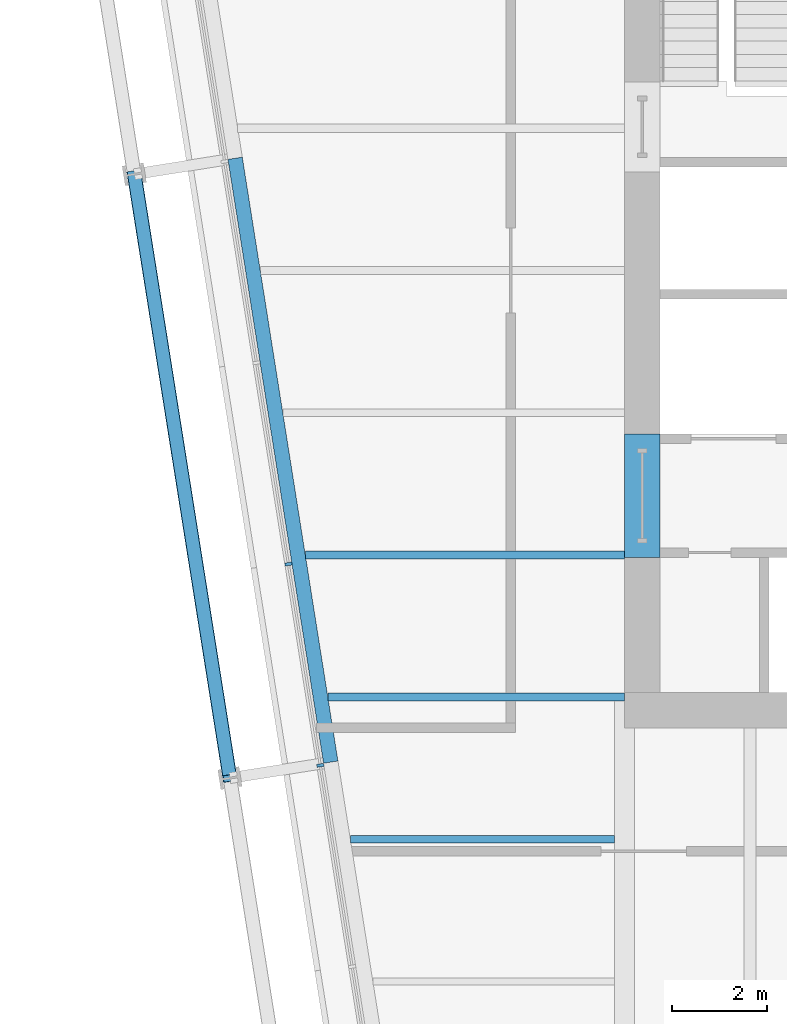
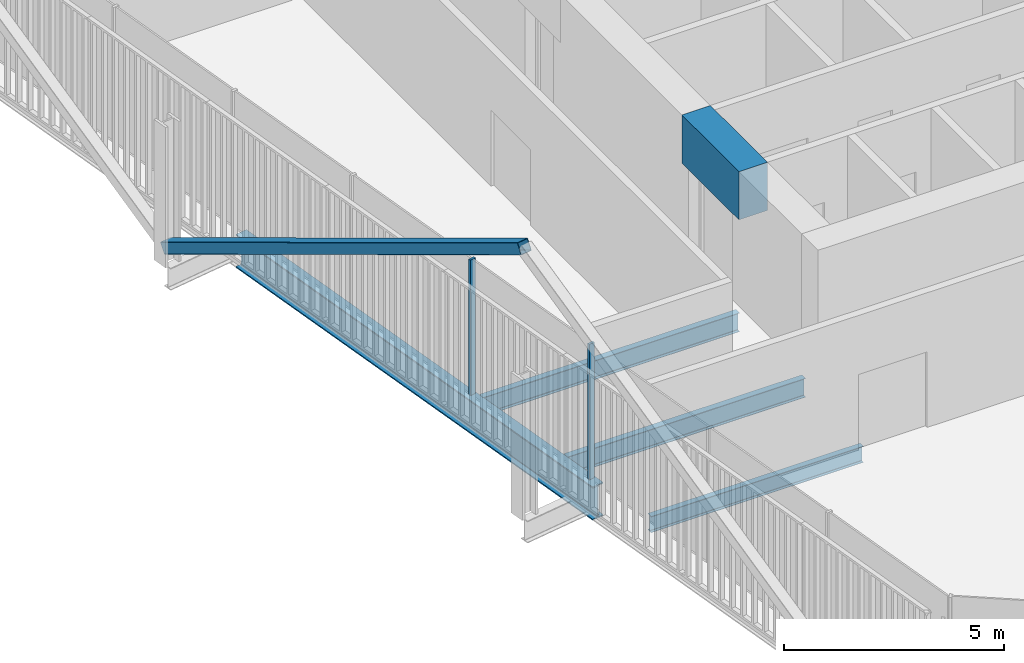
# One storey, part 4 of 22: 5 beams, 3 members, 1 element without a shape of its own.
"""IFC4 building model written with IfcOpenShell, lengths in metres."""

from ifc_helpers import new_model, si_unit, direction, frame, origin, origin_2d, place, context, subcontext, project, spatial, rectangle, hollow_rectangle, i_section, extrude, material, layer, layer_set, material_profile, profile_set, type_object, element, aggregate, save


model = new_model("IFC4")

# Units and contexts
model_context = context("Model", 3, precision=1e-05, world=origin(), true_north=direction((0.0, 1.0)))
body_context = subcontext(model_context, "Body", "Model", "MODEL_VIEW")
ifc_project = project(units=[si_unit("LENGTHUNIT", "METRE"), si_unit("AREAUNIT", "SQUARE_METRE"), si_unit("VOLUMEUNIT", "CUBIC_METRE"), si_unit("PLANEANGLEUNIT", "RADIAN"), si_unit("MASSUNIT", "GRAM", prefix="KILO")], contexts=[model_context])

# Site, building, storey
site_placement = place(None, origin())
site = spatial("IfcSite", under=ifc_project, at=site_placement, CompositionType="ELEMENT")
building_placement = place(site_placement, origin())
building = spatial("IfcBuilding", under=site, at=building_placement, Name="Millrace Tower", CompositionType="ELEMENT")
storey_placement = place(building_placement, frame((0.0, 0.0, 180.0)))
storey = spatial("IfcBuildingStorey", under=building, at=storey_placement, Name="L40", CompositionType="ELEMENT", Elevation=180.0)

# Curtain wall, members
ifc_material_1 = material(Name="Aluminium and glass", Category="aluminium")
ifc_layer = layer(ifc_material_1, 0.14990234375)
ifc_layer_set = layer_set([ifc_layer], Name="Aluminium and glass")
curtain_wall_type = type_object("IfcCurtainWallType", Name="CW-1 office vision curtain wall", PredefinedType="NOTDEFINED", material=ifc_layer_set)
curtain_wall_placement = place(storey_placement, origin())
curtain_wall = element("IfcCurtainWall", 1, at=curtain_wall_placement, inside=storey, type_object=curtain_wall_type, Name="Curtain wall C-F08 L40", PredefinedType="NOTDEFINED")
ifc_material_2 = material(Name="Aluminium", Category="aluminium")
ifc_material_profile_1 = material_profile(ifc_material_2, rectangle(XDim=0.06494140625, YDim=0.14990234375, at=origin_2d()))
ifc_profile_set_1 = profile_set([ifc_material_profile_1], Name="Aluminium")
member_type_1 = type_object("IfcMemberType", Name="CW-1 office vision curtain wall mullion", PredefinedType="MULLION", material=ifc_profile_set_1)
member_1_placement = place(storey_placement, frame((-21.743408203125, -6.193603515625, 0.139892578125), z_axis=(0.0, 0.0, 1.0), x_axis=(0.15643447328, -0.98768833929, 0.0)))
member_1 = element("IfcMember", 2, at=member_1_placement, type_object=member_type_1, Name="CW1 mullion C-F08.6", PredefinedType="MULLION", context=body_context, shape_type="SweptSolid", body=[
    extrude(rectangle(XDim=0.06494140625, YDim=0.14990234375, at=origin_2d()), origin(), (0.0, 0.0, 1.0), 3.760009765625),
])
member_2_placement = place(storey_placement, frame((-21.070556640625, -10.440673828125, 0.139892578125), z_axis=(0.0, 0.0, 1.0), x_axis=(0.15643447328, -0.98768833929, 0.0)))
member_2 = element("IfcMember", 3, at=member_2_placement, type_object=member_type_1, Name="CW1 mullion C-F08.7", PredefinedType="MULLION", context=body_context, shape_type="SweptSolid", body=[
    extrude(rectangle(XDim=0.06494140625, YDim=0.14990234375, at=origin_2d()), origin(), (0.0, 0.0, 1.0), 3.760009765625),
])
aggregate(curtain_wall, [member_1, member_2])

# Beam
ifc_material_3 = material(Name="Concrete C70", Category="concrete")
ifc_material_profile_2 = material_profile(ifc_material_3, rectangle(XDim=0.75, YDim=1.340087890625, at=origin_2d()))
ifc_profile_set_2 = profile_set([ifc_material_profile_2], Name="Concrete C70")
beam_type_1 = type_object("IfcBeamType", Name="Coupling beam 750 x 1340 Concrete C70, 2000 opening", PredefinedType="BEAM", material=ifc_profile_set_2)
beam_1_placement = place(storey_placement, frame((-14.27490234375, -6.050048828125, 3.070068359375), z_axis=(0.0, 1.0, 0.0), x_axis=(-1.0, 0.0, 0.0)))
element("IfcBeam", 4, at=beam_1_placement, inside=storey, type_object=beam_type_1, Name="Coupling beam W L40", PredefinedType="BEAM", context=body_context, shape_type="SweptSolid", body=[
    extrude(rectangle(XDim=0.75, YDim=1.340087890625, at=origin_2d()), origin(), (0.0, 0.0, 1.0), 2.60009765625),
])

# Member
ifc_material_4 = material(Name="Steel ASTM A500 Grade C", Category="steel")
ifc_material_profile_3 = material_profile(ifc_material_4, hollow_rectangle(XDim=0.3046875, YDim=0.3046875, WallThickness=0.0126953125, InnerFilletRadius=0.00634765625, OuterFilletRadius=0.01904296875, at=origin_2d()))
ifc_profile_set_3 = profile_set([ifc_material_profile_3], Name="Steel ASTM A500 Grade C")
member_type_2 = type_object("IfcMemberType", Name="Exoskeleton brace HSS12x12x1/2", PredefinedType="BRACE", material=ifc_profile_set_3)
member_3_placement = place(storey_placement, frame((-24.9951171875, 2.031494140625, 0.39990234375), z_axis=(0.137499609887, -0.868113917345, 0.476940335673), x_axis=(0.987687659758, 0.156438763615, 0.0)))
element("IfcMember", 5, at=member_3_placement, inside=storey, type_object=member_type_2, Name="BRC-C-L40-15", PredefinedType="BRACE", context=body_context, shape_type="SweptSolid", body=[
    extrude(hollow_rectangle(XDim=0.3046875, YDim=0.3046875, WallThickness=0.0126953125, InnerFilletRadius=0.00634765625, OuterFilletRadius=0.01904296875, at=origin_2d()), origin(), (0.0, 0.0, 1.0), 14.677001953125),
])

# Beams
ifc_material_5 = material(Name="Steel ASTM A992 Grade 50", Category="steel")
ifc_material_profile_4 = material_profile(ifc_material_5, i_section(OverallWidth=0.15234375, OverallDepth=0.449462890625, WebThickness=0.007568359375, FlangeThickness=0.0107421875, FilletRadius=0.01025390625, at=origin_2d()))
ifc_profile_set_4 = profile_set([ifc_material_profile_4], Name="Steel ASTM A992 Grade 50")
beam_type_2 = type_object("IfcBeamType", Name="Floor beam W18x35", PredefinedType="JOIST", material=ifc_profile_set_4)
beam_2_placement = place(storey_placement, frame((-20.4365234375, -12.0, -0.384765625), z_axis=(1.0, 0.0, 0.0), x_axis=(0.0, 1.0, 0.0)))
element("IfcBeam", 6, at=beam_2_placement, inside=storey, type_object=beam_type_2, Name="BM-C-L40-S1-S008", PredefinedType="JOIST", context=body_context, shape_type="SweptSolid", body=[
    extrude(i_section(OverallWidth=0.15234375, OverallDepth=0.449462890625, WebThickness=0.007568359375, FlangeThickness=0.0107421875, FilletRadius=0.01025390625, at=origin_2d()), origin(), (0.0, 0.0, 1.0), 5.576904296875),
])
ifc_material_6 = material(Name="Steel ASTM A992 Grade 50", Category="steel")
ifc_material_profile_5 = material_profile(ifc_material_6, i_section(OverallWidth=0.1650390625, OverallDepth=0.52587890625, WebThickness=0.0087890625, FlangeThickness=0.011474609375, FilletRadius=0.0126953125, at=origin_2d()))
ifc_profile_set_5 = profile_set([ifc_material_profile_5], Name="Steel ASTM A992 Grade 50")
beam_type_3 = type_object("IfcBeamType", Name="Floor beam W21x44", PredefinedType="JOIST", material=ifc_profile_set_5)
beam_3_placement = place(storey_placement, frame((-20.91162109375, -9.0, -0.4228515625), z_axis=(1.0, 0.0, 0.0), x_axis=(0.0, 1.0, 0.0)))
element("IfcBeam", 7, at=beam_3_placement, inside=storey, type_object=beam_type_3, Name="BM-C-L40-S1-S011", PredefinedType="JOIST", context=body_context, shape_type="SweptSolid", body=[
    extrude(i_section(OverallWidth=0.1650390625, OverallDepth=0.52587890625, WebThickness=0.0087890625, FlangeThickness=0.011474609375, FilletRadius=0.0126953125, at=origin_2d()), origin(), (0.0, 0.0, 1.0), 6.26171875),
])
beam_4_placement = place(storey_placement, frame((-21.386962890625, -6.0, -0.4228515625), z_axis=(1.0, 0.0, 0.0), x_axis=(0.0, 1.0, 0.0)))
element("IfcBeam", 8, at=beam_4_placement, inside=storey, type_object=beam_type_3, Name="BM-C-L40-S1-S014", PredefinedType="JOIST", context=body_context, shape_type="SweptSolid", body=[
    extrude(i_section(OverallWidth=0.1650390625, OverallDepth=0.52587890625, WebThickness=0.0087890625, FlangeThickness=0.011474609375, FilletRadius=0.0126953125, at=origin_2d()), origin(), (0.0, 0.0, 1.0), 6.737060546875),
])
ifc_material_7 = material(Name="Steel ASTM A992 Grade 50", Category="steel")
ifc_material_profile_6 = material_profile(ifc_material_7, i_section(OverallWidth=0.307373046875, OverallDepth=0.927001953125, WebThickness=0.01953125, FlangeThickness=0.031982421875, FilletRadius=0.01904296875, at=origin_2d()))
ifc_profile_set_6 = profile_set([ifc_material_profile_6], Name="Steel ASTM A992 Grade 50")
beam_type_4 = type_object("IfcBeamType", Name="Ring beam medium span W36x194", PredefinedType="SPANDREL", material=ifc_profile_set_6)
beam_5_placement = place(storey_placement, frame((-20.849853515625, -10.372802734375, -0.62353515625), z_axis=(-0.156438763615, 0.987687659758, 0.0), x_axis=(-0.987687659758, -0.156438763615, 0.0)))
element("IfcBeam", 9, at=beam_5_placement, inside=storey, type_object=beam_type_4, Name="RNG-C-L40-S1-02", PredefinedType="SPANDREL", context=body_context, shape_type="SweptSolid", body=[
    extrude(i_section(OverallWidth=0.307373046875, OverallDepth=0.927001953125, WebThickness=0.01953125, FlangeThickness=0.031982421875, FilletRadius=0.01904296875, at=origin_2d()), origin(), (0.0, 0.0, 1.0), 12.900146484375),
])

save(model, "model.ifc")
